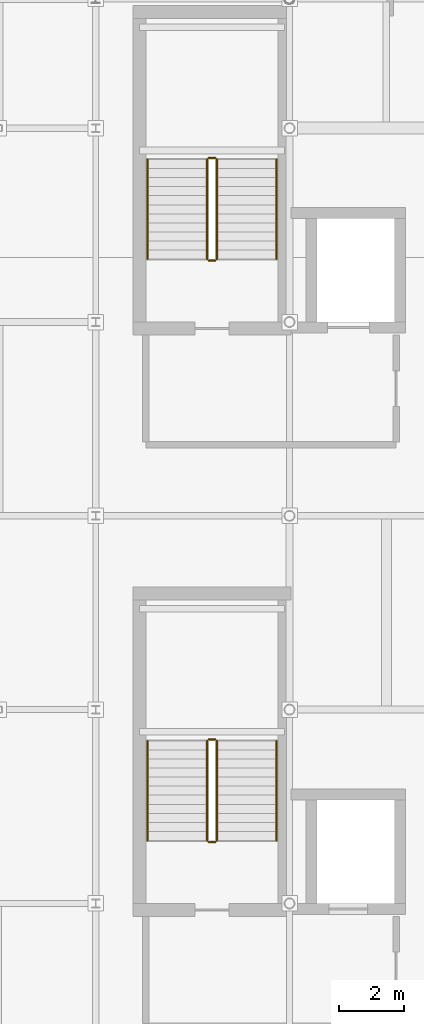
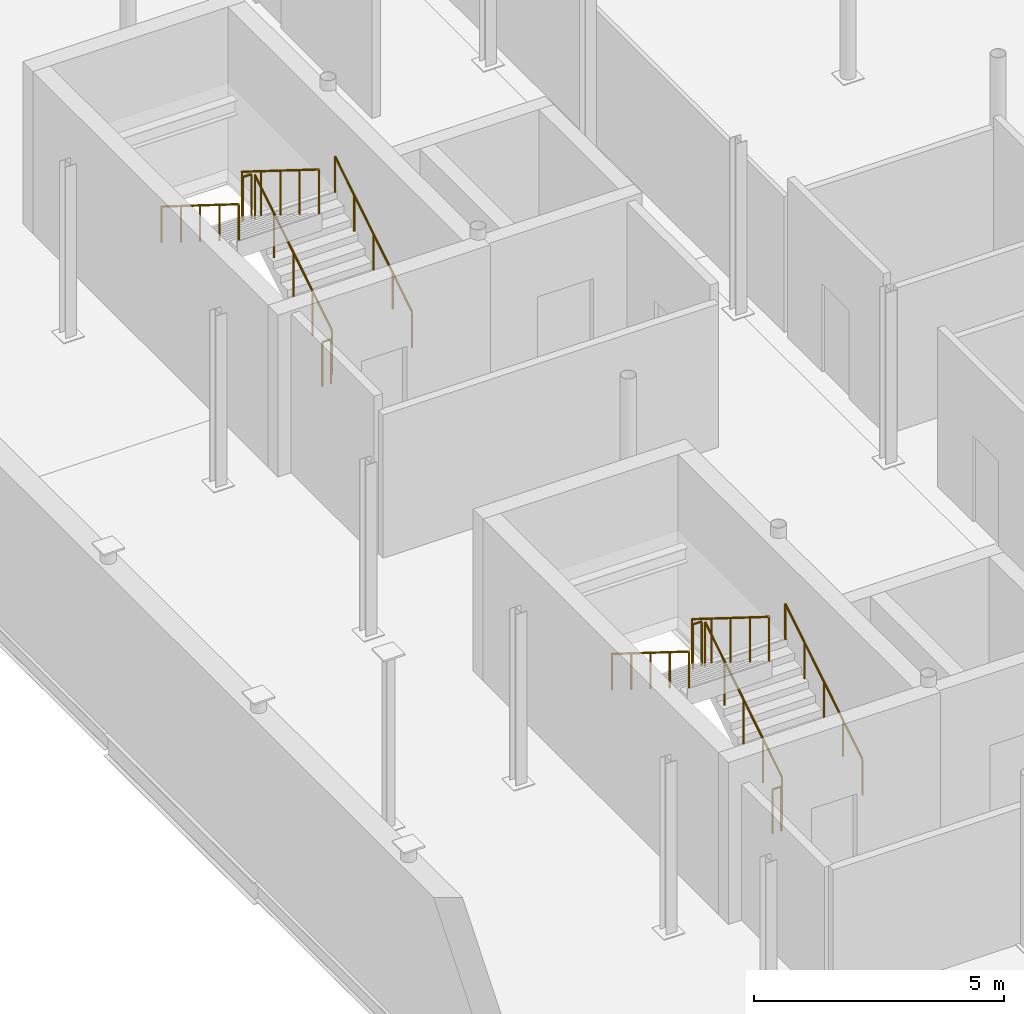
# One storey, part 29 of 30: 12 railings.
"""IFC4 building model written with IfcOpenShell, lengths in metres."""

from ifc_helpers import new_model, si_unit, direction, frame, origin, origin_2d, place, context, subcontext, project, spatial, circle, extrude, material, type_object, element, save


model = new_model("IFC4")

# Units and contexts
model_context = context("Model", 3, precision=1e-05, world=origin(), true_north=direction((0.0, 1.0)))
body_context = subcontext(model_context, "Body", "Model", "MODEL_VIEW")
ifc_project = project(units=[si_unit("LENGTHUNIT", "METRE"), si_unit("AREAUNIT", "SQUARE_METRE"), si_unit("VOLUMEUNIT", "CUBIC_METRE"), si_unit("PLANEANGLEUNIT", "RADIAN"), si_unit("MASSUNIT", "GRAM", prefix="KILO")], contexts=[model_context])

# Site, building, storey
site_placement = place(None, origin())
site = spatial("IfcSite", under=ifc_project, at=site_placement, CompositionType="ELEMENT")
building_placement = place(site_placement, origin())
building = spatial("IfcBuilding", under=site, at=building_placement, Name="Verrall Gate Interchange", CompositionType="ELEMENT")
storey_placement = place(building_placement, frame((0.0, 0.0, 19.39990234375)))
storey = spatial("IfcBuildingStorey", under=building, at=storey_placement, Name="L05", CompositionType="ELEMENT", Elevation=19.39990234375)

# Railings
ifc_material_1 = material(Name="Brushed Stainless-Steel Guardrail and Handrail System", Category="steel")
railing_type_1 = type_object("IfcRailingType", Name="GR-02 Interior Atrium and Stair Guardrail 1100", PredefinedType="GUARDRAIL", material=ifc_material_1)
railing_1_placement = place(storey_placement, frame((9.75, 17.949951171875, 0.175048828125)))
element("IfcRailing", 1, at=railing_1_placement, inside=storey, type_object=railing_type_1, Name="L05 ST-01 stair guard 1", PredefinedType="GUARDRAIL", context=body_context, shape_type="SweptSolid", body=[
    extrude(circle(Radius=0.02392578125, at=origin_2d()), frame((0.0, 0.0, 1.076171875), z_axis=(0.0, 0.847998304005, 0.529998940003), x_axis=(-1.0, 0.0, 0.0)), (0.0, 0.0, 1.0), 3.632080078125),
    extrude(circle(Radius=0.02099609375, at=origin_2d()), origin(), (0.0, 0.0, 1.0), 1.052001953125),
    extrude(circle(Radius=0.02099609375, at=origin_2d()), frame((0.0, 0.77001953125, 0.481201171875)), (0.0, 0.0, 1.0), 1.052001953125),
    extrude(circle(Radius=0.02099609375, at=origin_2d()), frame((0.0, 1.5400390625, 0.96240234375)), (0.0, 0.0, 1.0), 1.052001953125),
    extrude(circle(Radius=0.02099609375, at=origin_2d()), frame((0.0, 2.31005859375, 1.44384765625)), (0.0, 0.0, 1.0), 1.052001953125),
    extrude(circle(Radius=0.02099609375, at=origin_2d()), frame((0.0, 3.080078125, 1.925048828125)), (0.0, 0.0, 1.0), 1.052001953125),
])
railing_2_placement = place(storey_placement, frame((9.699951171875, 21.080078125, 2.10009765625)))
element("IfcRailing", 2, at=railing_2_placement, inside=storey, type_object=railing_type_1, Name="L05 ST-01 stair guard 2", PredefinedType="GUARDRAIL", context=body_context, shape_type="SweptSolid", body=[
    extrude(circle(Radius=0.02392578125, at=origin_2d()), frame((0.0, 0.0, 1.076171875), z_axis=(-1.0, 0.0, 0.0), x_axis=(0.0, -1.0, 0.0)), (0.0, 0.0, 1.0), 0.199951171875),
    extrude(circle(Radius=0.02099609375, at=origin_2d()), origin(), (0.0, 0.0, 1.0), 1.052001953125),
    extrude(circle(Radius=0.02099609375, at=origin_2d()), frame((-0.199951171875, 0.0, 0.0)), (0.0, 0.0, 1.0), 1.052001953125),
])
railing_3_placement = place(storey_placement, frame((9.449951171875, 21.030029296875, 2.275146484375)))
element("IfcRailing", 3, at=railing_3_placement, inside=storey, type_object=railing_type_1, Name="L05 ST-01 stair guard 3", PredefinedType="GUARDRAIL", context=body_context, shape_type="SweptSolid", body=[
    extrude(circle(Radius=0.02392578125, at=origin_2d()), frame((0.0, 0.0, 1.076171875), z_axis=(0.0, -0.847998304005, 0.529998940003), x_axis=(1.0, 0.0, 0.0)), (0.0, 0.0, 1.0), 3.632080078125),
    extrude(circle(Radius=0.02099609375, at=origin_2d()), origin(), (0.0, 0.0, 1.0), 1.052001953125),
    extrude(circle(Radius=0.02099609375, at=origin_2d()), frame((0.0, -0.77001953125, 0.481201171875)), (0.0, 0.0, 1.0), 1.052001953125),
    extrude(circle(Radius=0.02099609375, at=origin_2d()), frame((0.0, -1.5400390625, 0.96240234375)), (0.0, 0.0, 1.0), 1.052001953125),
    extrude(circle(Radius=0.02099609375, at=origin_2d()), frame((0.0, -2.31005859375, 1.44384765625)), (0.0, 0.0, 1.0), 1.052001953125),
    extrude(circle(Radius=0.02099609375, at=origin_2d()), frame((0.0, -3.080078125, 1.925048828125)), (0.0, 0.0, 1.0), 1.052001953125),
])
railing_4_placement = place(storey_placement, frame((9.699951171875, 17.89990234375, 0.0)))
element("IfcRailing", 4, at=railing_4_placement, inside=storey, type_object=railing_type_1, Name="L05 ST-01 stair guard 4", PredefinedType="GUARDRAIL", context=body_context, shape_type="SweptSolid", body=[
    extrude(circle(Radius=0.02392578125, at=origin_2d()), frame((0.0, 0.0, 1.076171875), z_axis=(-1.0, 0.0, 0.0), x_axis=(0.0, -1.0, 0.0)), (0.0, 0.0, 1.0), 0.199951171875),
    extrude(circle(Radius=0.02099609375, at=origin_2d()), origin(), (0.0, 0.0, 1.0), 1.052001953125),
    extrude(circle(Radius=0.02099609375, at=origin_2d()), frame((-0.199951171875, 0.0, 0.0)), (0.0, 0.0, 1.0), 1.052001953125),
])
railing_5_placement = place(storey_placement, frame((9.75, 35.949951171875, 0.175048828125)))
element("IfcRailing", 5, at=railing_5_placement, inside=storey, type_object=railing_type_1, Name="L05 ST-02 stair guard 1", PredefinedType="GUARDRAIL", context=body_context, shape_type="SweptSolid", body=[
    extrude(circle(Radius=0.02392578125, at=origin_2d()), frame((0.0, 0.0, 1.076171875), z_axis=(0.0, 0.847998304005, 0.529998940003), x_axis=(-1.0, 0.0, 0.0)), (0.0, 0.0, 1.0), 3.632080078125),
    extrude(circle(Radius=0.02099609375, at=origin_2d()), origin(), (0.0, 0.0, 1.0), 1.052001953125),
    extrude(circle(Radius=0.02099609375, at=origin_2d()), frame((0.0, 0.77001953125, 0.481201171875)), (0.0, 0.0, 1.0), 1.052001953125),
    extrude(circle(Radius=0.02099609375, at=origin_2d()), frame((0.0, 1.5400390625, 0.96240234375)), (0.0, 0.0, 1.0), 1.052001953125),
    extrude(circle(Radius=0.02099609375, at=origin_2d()), frame((0.0, 2.31005859375, 1.44384765625)), (0.0, 0.0, 1.0), 1.052001953125),
    extrude(circle(Radius=0.02099609375, at=origin_2d()), frame((0.0, 3.080078125, 1.925048828125)), (0.0, 0.0, 1.0), 1.052001953125),
])
railing_6_placement = place(storey_placement, frame((9.699951171875, 39.080078125, 2.10009765625)))
element("IfcRailing", 6, at=railing_6_placement, inside=storey, type_object=railing_type_1, Name="L05 ST-02 stair guard 2", PredefinedType="GUARDRAIL", context=body_context, shape_type="SweptSolid", body=[
    extrude(circle(Radius=0.02392578125, at=origin_2d()), frame((0.0, 0.0, 1.076171875), z_axis=(-1.0, 0.0, 0.0), x_axis=(0.0, -1.0, 0.0)), (0.0, 0.0, 1.0), 0.199951171875),
    extrude(circle(Radius=0.02099609375, at=origin_2d()), origin(), (0.0, 0.0, 1.0), 1.052001953125),
    extrude(circle(Radius=0.02099609375, at=origin_2d()), frame((-0.199951171875, 0.0, 0.0)), (0.0, 0.0, 1.0), 1.052001953125),
])
railing_7_placement = place(storey_placement, frame((9.449951171875, 39.030029296875, 2.275146484375)))
element("IfcRailing", 7, at=railing_7_placement, inside=storey, type_object=railing_type_1, Name="L05 ST-02 stair guard 3", PredefinedType="GUARDRAIL", context=body_context, shape_type="SweptSolid", body=[
    extrude(circle(Radius=0.02392578125, at=origin_2d()), frame((0.0, 0.0, 1.076171875), z_axis=(0.0, -0.847998304005, 0.529998940003), x_axis=(1.0, 0.0, 0.0)), (0.0, 0.0, 1.0), 3.632080078125),
    extrude(circle(Radius=0.02099609375, at=origin_2d()), origin(), (0.0, 0.0, 1.0), 1.052001953125),
    extrude(circle(Radius=0.02099609375, at=origin_2d()), frame((0.0, -0.77001953125, 0.481201171875)), (0.0, 0.0, 1.0), 1.052001953125),
    extrude(circle(Radius=0.02099609375, at=origin_2d()), frame((0.0, -1.5400390625, 0.96240234375)), (0.0, 0.0, 1.0), 1.052001953125),
    extrude(circle(Radius=0.02099609375, at=origin_2d()), frame((0.0, -2.31005859375, 1.44384765625)), (0.0, 0.0, 1.0), 1.052001953125),
    extrude(circle(Radius=0.02099609375, at=origin_2d()), frame((0.0, -3.080078125, 1.925048828125)), (0.0, 0.0, 1.0), 1.052001953125),
])
railing_8_placement = place(storey_placement, frame((9.699951171875, 35.89990234375, 0.0)))
element("IfcRailing", 8, at=railing_8_placement, inside=storey, type_object=railing_type_1, Name="L05 ST-02 stair guard 4", PredefinedType="GUARDRAIL", context=body_context, shape_type="SweptSolid", body=[
    extrude(circle(Radius=0.02392578125, at=origin_2d()), frame((0.0, 0.0, 1.076171875), z_axis=(-1.0, 0.0, 0.0), x_axis=(0.0, -1.0, 0.0)), (0.0, 0.0, 1.0), 0.199951171875),
    extrude(circle(Radius=0.02099609375, at=origin_2d()), origin(), (0.0, 0.0, 1.0), 1.052001953125),
    extrude(circle(Radius=0.02099609375, at=origin_2d()), frame((-0.199951171875, 0.0, 0.0)), (0.0, 0.0, 1.0), 1.052001953125),
])
ifc_material_2 = material(Name="Brushed Stainless-Steel Guardrail and Handrail System", Category="steel")
railing_type_2 = type_object("IfcRailingType", Name="HR-01 Stair and Ramp Pitch-Line Handrail 920", PredefinedType="HANDRAIL", material=ifc_material_2)
railing_9_placement = place(storey_placement, frame((11.60009765625, 17.949951171875, 0.175048828125)))
element("IfcRailing", 9, at=railing_9_placement, inside=storey, type_object=railing_type_2, Name="L05 ST-01 stair handrail 1", PredefinedType="HANDRAIL", context=body_context, shape_type="SweptSolid", body=[
    extrude(circle(Radius=0.02392578125, at=origin_2d()), frame((0.0, 0.0, 0.8759765625), z_axis=(0.0, 0.847998304005, 0.529998940003), x_axis=(-1.0, 0.0, 0.0)), (0.0, 0.0, 1.0), 3.632080078125),
    extrude(circle(Radius=0.02099609375, at=origin_2d()), origin(), (0.0, 0.0, 1.0), 0.851806640625),
    extrude(circle(Radius=0.02099609375, at=origin_2d()), frame((0.0, 0.77001953125, 0.481201171875)), (0.0, 0.0, 1.0), 0.851806640625),
    extrude(circle(Radius=0.02099609375, at=origin_2d()), frame((0.0, 1.5400390625, 0.96240234375)), (0.0, 0.0, 1.0), 0.851806640625),
    extrude(circle(Radius=0.02099609375, at=origin_2d()), frame((0.0, 2.31005859375, 1.44384765625)), (0.0, 0.0, 1.0), 0.851806640625),
    extrude(circle(Radius=0.02099609375, at=origin_2d()), frame((0.0, 3.080078125, 1.925048828125)), (0.0, 0.0, 1.0), 0.851806640625),
])
railing_10_placement = place(storey_placement, frame((7.60009765625, 21.030029296875, 2.275146484375)))
element("IfcRailing", 10, at=railing_10_placement, inside=storey, type_object=railing_type_2, Name="L05 ST-01 stair handrail 2", PredefinedType="HANDRAIL", context=body_context, shape_type="SweptSolid", body=[
    extrude(circle(Radius=0.02392578125, at=origin_2d()), frame((0.0, 0.0, 0.8759765625), z_axis=(0.0, -0.847998304005, 0.529998940003), x_axis=(1.0, 0.0, 0.0)), (0.0, 0.0, 1.0), 3.632080078125),
    extrude(circle(Radius=0.02099609375, at=origin_2d()), origin(), (0.0, 0.0, 1.0), 0.851806640625),
    extrude(circle(Radius=0.02099609375, at=origin_2d()), frame((0.0, -0.77001953125, 0.481201171875)), (0.0, 0.0, 1.0), 0.851806640625),
    extrude(circle(Radius=0.02099609375, at=origin_2d()), frame((0.0, -1.5400390625, 0.96240234375)), (0.0, 0.0, 1.0), 0.851806640625),
    extrude(circle(Radius=0.02099609375, at=origin_2d()), frame((0.0, -2.31005859375, 1.44384765625)), (0.0, 0.0, 1.0), 0.851806640625),
    extrude(circle(Radius=0.02099609375, at=origin_2d()), frame((0.0, -3.080078125, 1.925048828125)), (0.0, 0.0, 1.0), 0.851806640625),
])
railing_11_placement = place(storey_placement, frame((11.60009765625, 35.949951171875, 0.175048828125)))
element("IfcRailing", 11, at=railing_11_placement, inside=storey, type_object=railing_type_2, Name="L05 ST-02 stair handrail 1", PredefinedType="HANDRAIL", context=body_context, shape_type="SweptSolid", body=[
    extrude(circle(Radius=0.02392578125, at=origin_2d()), frame((0.0, 0.0, 0.8759765625), z_axis=(0.0, 0.847998304005, 0.529998940003), x_axis=(-1.0, 0.0, 0.0)), (0.0, 0.0, 1.0), 3.632080078125),
    extrude(circle(Radius=0.02099609375, at=origin_2d()), origin(), (0.0, 0.0, 1.0), 0.851806640625),
    extrude(circle(Radius=0.02099609375, at=origin_2d()), frame((0.0, 0.77001953125, 0.481201171875)), (0.0, 0.0, 1.0), 0.851806640625),
    extrude(circle(Radius=0.02099609375, at=origin_2d()), frame((0.0, 1.5400390625, 0.96240234375)), (0.0, 0.0, 1.0), 0.851806640625),
    extrude(circle(Radius=0.02099609375, at=origin_2d()), frame((0.0, 2.31005859375, 1.44384765625)), (0.0, 0.0, 1.0), 0.851806640625),
    extrude(circle(Radius=0.02099609375, at=origin_2d()), frame((0.0, 3.080078125, 1.925048828125)), (0.0, 0.0, 1.0), 0.851806640625),
])
railing_12_placement = place(storey_placement, frame((7.60009765625, 39.030029296875, 2.275146484375)))
element("IfcRailing", 12, at=railing_12_placement, inside=storey, type_object=railing_type_2, Name="L05 ST-02 stair handrail 2", PredefinedType="HANDRAIL", context=body_context, shape_type="SweptSolid", body=[
    extrude(circle(Radius=0.02392578125, at=origin_2d()), frame((0.0, 0.0, 0.8759765625), z_axis=(0.0, -0.847998304005, 0.529998940003), x_axis=(1.0, 0.0, 0.0)), (0.0, 0.0, 1.0), 3.632080078125),
    extrude(circle(Radius=0.02099609375, at=origin_2d()), origin(), (0.0, 0.0, 1.0), 0.851806640625),
    extrude(circle(Radius=0.02099609375, at=origin_2d()), frame((0.0, -0.77001953125, 0.481201171875)), (0.0, 0.0, 1.0), 0.851806640625),
    extrude(circle(Radius=0.02099609375, at=origin_2d()), frame((0.0, -1.5400390625, 0.96240234375)), (0.0, 0.0, 1.0), 0.851806640625),
    extrude(circle(Radius=0.02099609375, at=origin_2d()), frame((0.0, -2.31005859375, 1.44384765625)), (0.0, 0.0, 1.0), 0.851806640625),
    extrude(circle(Radius=0.02099609375, at=origin_2d()), frame((0.0, -3.080078125, 1.925048828125)), (0.0, 0.0, 1.0), 0.851806640625),
])

save(model, "model.ifc")
